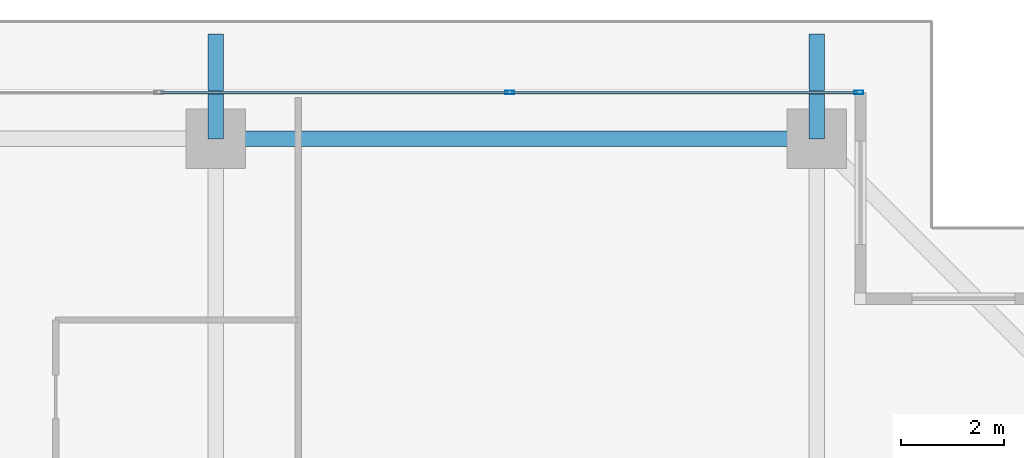
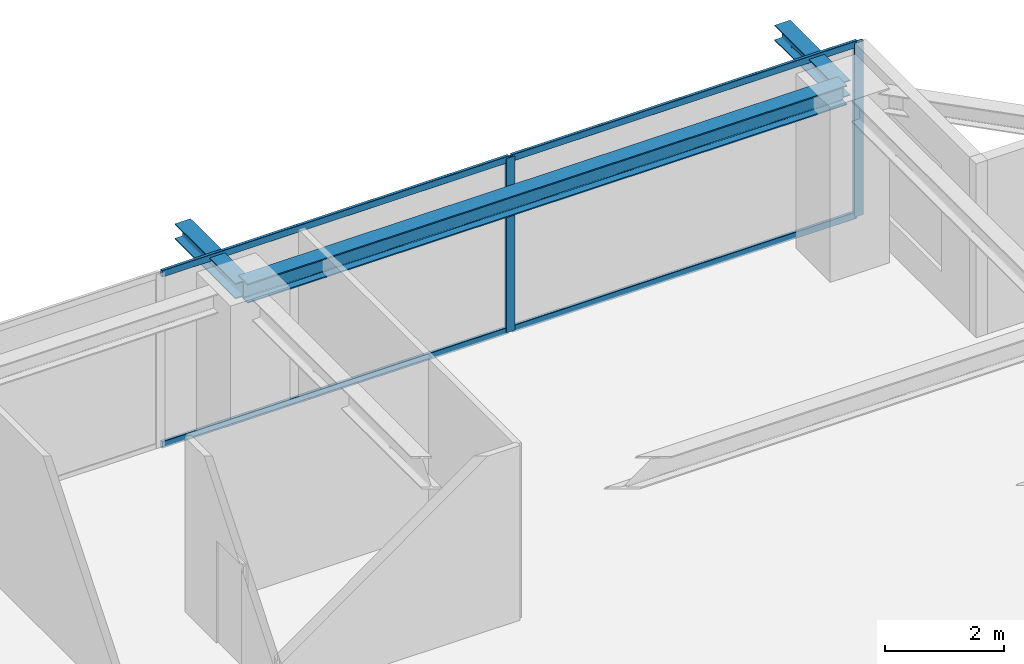
# One storey, part 23 of 36: 6 members, 3 beams, 1 element without a shape of its own.
"""IFC4 building model written with IfcOpenShell, lengths in metres."""

from ifc_helpers import new_model, si_unit, direction, frame, origin, origin_2d, place, context, subcontext, project, spatial, hollow_rectangle, i_section, extrude, source, transform, mapped, material, layer, layer_set, material_profile, profile_set, type_object, element, aggregate, save


model = new_model("IFC4")

# Units and contexts
model_context = context("Model", 3, precision=1e-05, world=origin(), true_north=direction((0.0, 1.0)))
body_context = subcontext(model_context, "Body", "Model", "MODEL_VIEW")
ifc_project = project(units=[si_unit("LENGTHUNIT", "METRE"), si_unit("AREAUNIT", "SQUARE_METRE"), si_unit("VOLUMEUNIT", "CUBIC_METRE"), si_unit("PLANEANGLEUNIT", "RADIAN"), si_unit("MASSUNIT", "GRAM", prefix="KILO")], contexts=[model_context])

# Site, building, storey
site_placement = place(None, origin())
site = spatial("IfcSite", under=ifc_project, at=site_placement, CompositionType="ELEMENT")
building_placement = place(site_placement, origin())
building = spatial("IfcBuilding", under=site, at=building_placement, Name="Serunith Strait Residences", CompositionType="ELEMENT")
storey_placement = place(building_placement, frame((0.0, 0.0, 272.050048828125)))
storey = spatial("IfcBuildingStorey", under=building, at=storey_placement, Name="L68", CompositionType="ELEMENT", Elevation=272.050048828125)

# Beams
ifc_material_1 = material(Name="Steel S355J2", Category="steel")
ifc_material_profile_1 = material_profile(ifc_material_1, i_section(OverallWidth=0.300048828125, OverallDepth=0.39990234375, WebThickness=0.013427734375, FlangeThickness=0.02392578125, FilletRadius=0.027099609375, at=origin_2d()), Name="HEB 400")
ifc_profile_set_1 = profile_set([ifc_material_profile_1], Name="Steel S355J2")
beam_type_1 = type_object("IfcBeamType", Name="BM-HEB400", PredefinedType="BEAM", material=ifc_profile_set_1)
shared_shape_1 = source(origin(), body_context, "Body", "SweptSolid", [
    extrude(i_section(OverallWidth=0.300048828125, OverallDepth=0.39990234375, WebThickness=0.013427734375, FlangeThickness=0.02392578125, FilletRadius=0.027099609375, at=origin_2d()), origin(), (0.0, 0.0, 1.0), 11.650146484375),
])
beam_placement = place(storey_placement, frame((48.550048828125, 48.300048828125, 3.386962890625), z_axis=(-1.0, 0.0, 0.0), x_axis=(0.0, -1.0, 0.0)))
element("IfcBeam", 1, at=beam_placement, inside=storey, type_object=beam_type_1, Name="L68 Perimeter Ring Beam 09", PredefinedType="BEAM", context=body_context, shape_type="MappedRepresentation", body=[
    mapped(shared_shape_1, transform((0.0, 0.0, 0.0), scale=1.0)),
])
ifc_material_profile_2 = material_profile(ifc_material_1, i_section(OverallWidth=0.300048828125, OverallDepth=0.320068359375, WebThickness=0.011474609375, FlangeThickness=0.0205078125, FilletRadius=0.027099609375, at=origin_2d()), Name="HEB 320")
ifc_profile_set_2 = profile_set([ifc_material_profile_2], Name="Steel S355J2")
beam_type_2 = type_object("IfcBeamType", Name="BM-HEB320", PredefinedType="BEAM", material=ifc_profile_set_2)
shared_shape_2 = source(origin(), body_context, "Body", "SweptSolid", [
    extrude(i_section(OverallWidth=0.300048828125, OverallDepth=0.320068359375, WebThickness=0.011474609375, FlangeThickness=0.0205078125, FilletRadius=0.027099609375, at=origin_2d()), origin(), (0.0, 0.0, 1.0), 2.030029296875),
])
for number, where, z_axis, x_axis, name in (
    (2, (36.89990234375, 48.300048828125, 3.39697265625), (0.0, 1.0, 0.0), (-1.0, 0.0, 0.0), "L69 Cantilevered Balcony Rib TC-N3"),
    (3, (48.550048828125, 48.300048828125, 3.39697265625), (0.0, 1.0, 0.0), (-1.0, 0.0, 0.0), "L69 Cantilevered Balcony Rib TC-N4"),
):
    element("IfcBeam", number, at=place(storey_placement, frame(where, z_axis=z_axis, x_axis=x_axis)), inside=storey, type_object=beam_type_2, Name=name, PredefinedType="BEAM", context=body_context, shape_type="MappedRepresentation", body=[
        mapped(shared_shape_2, transform((0.0, 0.0, 0.0), scale=1.0)),
    ])

# Curtain wall, members
ifc_material_2 = material(Name="Pale-Champagne Anodised Aluminium", Category="aluminium")
ifc_layer = layer(ifc_material_2, 0.199951171875, Name="Pale-Champagne Anodised Aluminium")
ifc_layer_set = layer_set([ifc_layer], Name="Pale-Champagne Anodised Aluminium")
curtain_wall_type = type_object("IfcCurtainWallType", Name="CW-SYS4", PredefinedType="NOTDEFINED", material=ifc_layer_set)
curtain_wall_placement = place(storey_placement, origin())
curtain_wall = element("IfcCurtainWall", 4, at=curtain_wall_placement, inside=storey, type_object=curtain_wall_type, Name="L68 N Unitised Fritted Curtain Wall", PredefinedType="NOTDEFINED")
ifc_material_profile_3 = material_profile(ifc_material_2, hollow_rectangle(XDim=0.06494140625, YDim=0.179931640625, WallThickness=0.00341796875, InnerFilletRadius=0.00537109375, OuterFilletRadius=0.0087890625, at=origin_2d()), Name="ALU 180x65x3.5")
ifc_profile_set_3 = profile_set([ifc_material_profile_3], Name="Pale-Champagne Anodised Aluminium")
member_type_1 = type_object("IfcMemberType", Name="CW-SYS4-MULL", PredefinedType="MULLION", material=ifc_profile_set_3)
shared_shape_3 = source(origin(), body_context, "Body", "SweptSolid", [
    extrude(hollow_rectangle(XDim=0.06494140625, YDim=0.179931640625, WallThickness=0.00341796875, InnerFilletRadius=0.00537109375, OuterFilletRadius=0.0087890625, at=origin_2d()), origin(), (0.0, 0.0, 1.0), 3.574951171875),
])
member_1_placement = place(storey_placement, frame((49.367431640625, 49.199951171875, 0.0), z_axis=(0.0, 0.0, 1.0), x_axis=(0.0, -1.0, 0.0)))
member_1 = element("IfcMember", 5, at=member_1_placement, type_object=member_type_1, Name="CW-4 mullion 1", PredefinedType="MULLION", context=body_context, shape_type="MappedRepresentation", body=[
    mapped(shared_shape_3, transform((0.0, 0.0, 0.0), scale=1.0)),
])
member_2_placement = place(storey_placement, frame((42.60009765625, 49.199951171875, 0.0), z_axis=(0.0, 0.0, 1.0), x_axis=(0.0, -1.0, 0.0)))
member_2 = element("IfcMember", 6, at=member_2_placement, type_object=member_type_1, Name="CW-4 mullion 2", PredefinedType="MULLION", context=body_context, shape_type="MappedRepresentation", body=[
    mapped(shared_shape_3, transform((0.0, 0.0, 0.0), scale=1.0)),
])
ifc_material_profile_4 = material_profile(ifc_material_2, hollow_rectangle(XDim=0.06005859375, YDim=0.139892578125, WallThickness=0.00341796875, InnerFilletRadius=0.00537109375, OuterFilletRadius=0.0087890625, at=origin_2d()), Name="ALU 140x60x3.5")
ifc_profile_set_4 = profile_set([ifc_material_profile_4], Name="Pale-Champagne Anodised Aluminium")
member_type_2 = type_object("IfcMemberType", Name="CW-SYS4-TRAN", PredefinedType="USERDEFINED", material=ifc_profile_set_4)
shared_shape_4 = source(origin(), body_context, "Body", "SweptSolid", [
    extrude(hollow_rectangle(XDim=0.06005859375, YDim=0.139892578125, WallThickness=0.00341796875, InnerFilletRadius=0.00537109375, OuterFilletRadius=0.0087890625, at=origin_2d()), origin(), (0.0, 0.0, 1.0), 6.702392578125),
])
member_3_placement = place(storey_placement, frame((49.3349609375, 49.199951171875, 0.030029296875), z_axis=(-1.0, 0.0, 0.0), x_axis=(0.0, -1.0, 0.0)))
member_3 = element("IfcMember", 7, at=member_3_placement, type_object=member_type_2, Name="CW-4 transom 1.1", ObjectType="TRANSOM", PredefinedType="USERDEFINED", context=body_context, shape_type="MappedRepresentation", body=[
    mapped(shared_shape_4, transform((0.0, 0.0, 0.0), scale=1.0)),
])
member_4_placement = place(storey_placement, frame((49.3349609375, 49.199951171875, 3.544921875), z_axis=(-1.0, 0.0, 0.0), x_axis=(0.0, -1.0, 0.0)))
member_4 = element("IfcMember", 8, at=member_4_placement, type_object=member_type_2, Name="CW-4 transom 1.2", ObjectType="TRANSOM", PredefinedType="USERDEFINED", context=body_context, shape_type="MappedRepresentation", body=[
    mapped(shared_shape_4, transform((0.0, 0.0, 0.0), scale=1.0)),
])
shared_shape_5 = source(origin(), body_context, "Body", "SweptSolid", [
    extrude(hollow_rectangle(XDim=0.06005859375, YDim=0.139892578125, WallThickness=0.00341796875, InnerFilletRadius=0.00537109375, OuterFilletRadius=0.0087890625, at=origin_2d()), origin(), (0.0, 0.0, 1.0), 6.73486328125),
])
member_5_placement = place(storey_placement, frame((42.5673828125, 49.199951171875, 0.030029296875), z_axis=(-1.0, 0.0, 0.0), x_axis=(0.0, -1.0, 0.0)))
member_5 = element("IfcMember", 9, at=member_5_placement, type_object=member_type_2, Name="CW-4 transom 2.1", ObjectType="TRANSOM", PredefinedType="USERDEFINED", context=body_context, shape_type="MappedRepresentation", body=[
    mapped(shared_shape_5, transform((0.0, 0.0, 0.0), scale=1.0)),
])
member_6_placement = place(storey_placement, frame((42.5673828125, 49.199951171875, 3.544921875), z_axis=(-1.0, 0.0, 0.0), x_axis=(0.0, -1.0, 0.0)))
member_6 = element("IfcMember", 10, at=member_6_placement, type_object=member_type_2, Name="CW-4 transom 2.2", ObjectType="TRANSOM", PredefinedType="USERDEFINED", context=body_context, shape_type="MappedRepresentation", body=[
    mapped(shared_shape_5, transform((0.0, 0.0, 0.0), scale=1.0)),
])
aggregate(curtain_wall, [member_1, member_2, member_3, member_4, member_5, member_6])

save(model, "model.ifc")
